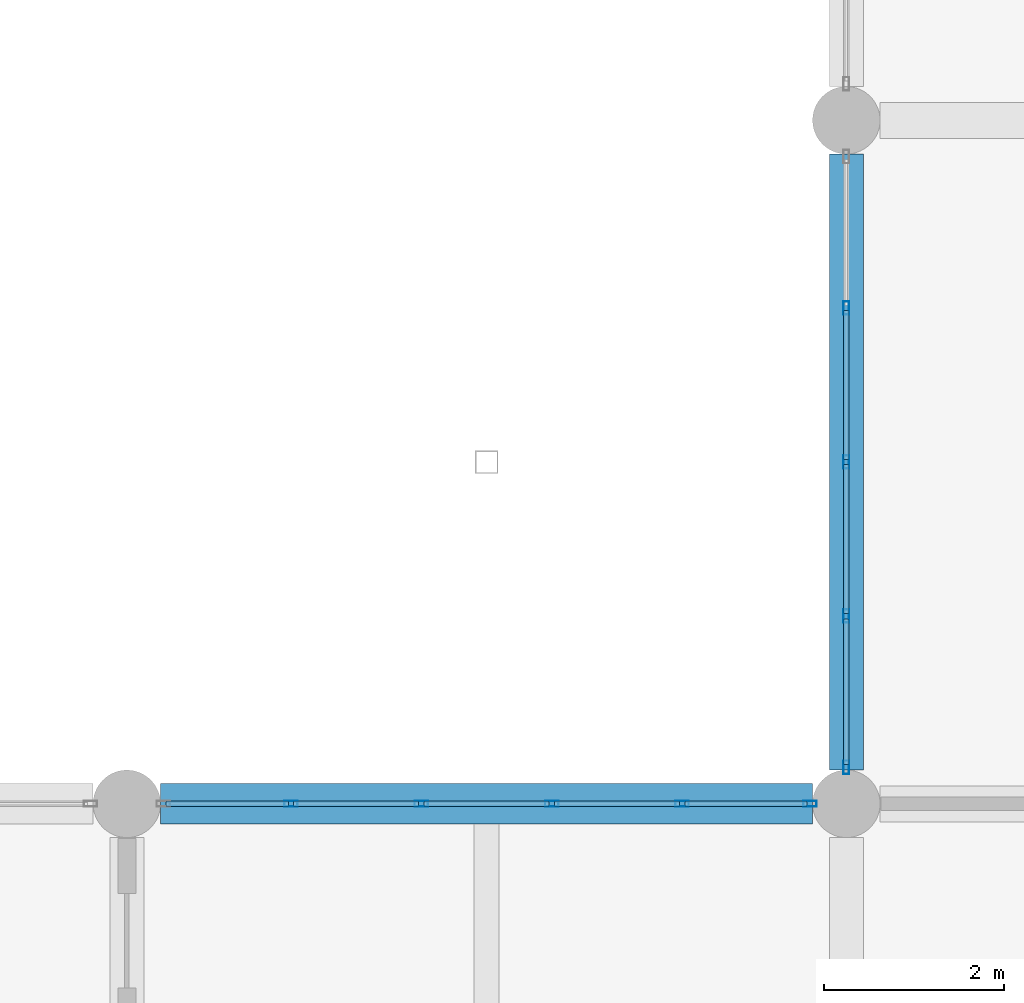
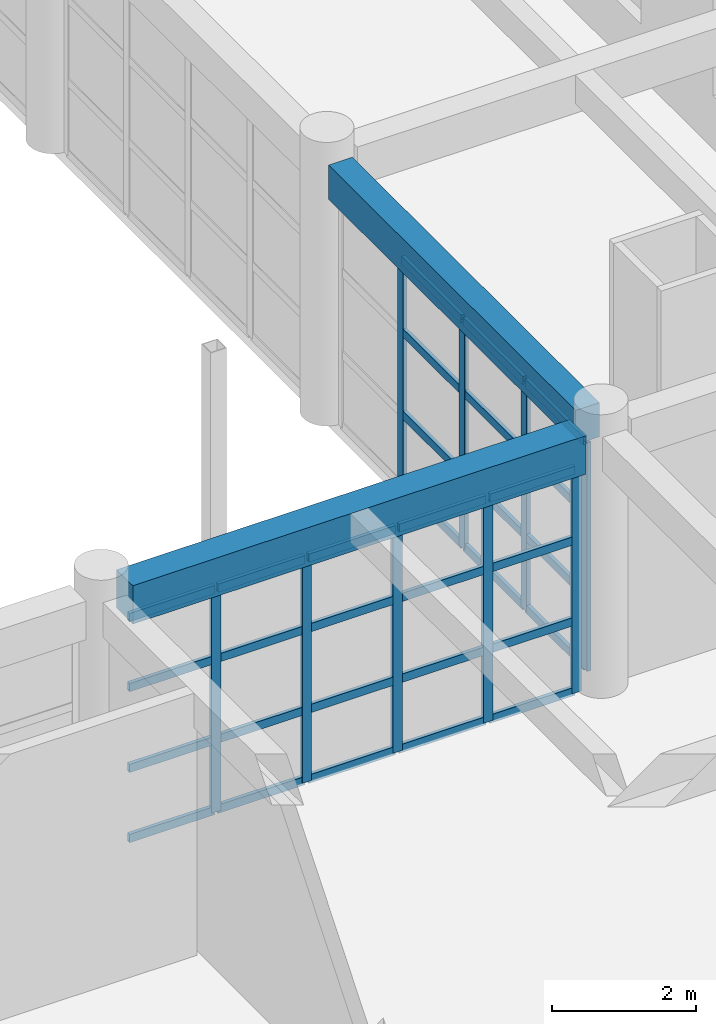
# One storey, part 51 of 101: 41 members, 2 beams, 2 elements without a shape of their own.
"""IFC4 building model written with IfcOpenShell, lengths in metres."""

from ifc_helpers import new_model, si_unit, direction, frame, origin, origin_2d, place, context, subcontext, project, spatial, rectangle, hollow_rectangle, extrude, material, material_profile, profile_set, type_object, element, aggregate, save


model = new_model("IFC4")

# Units and contexts
model_context = context("Model", 3, precision=1e-05, world=origin(), true_north=direction((0.0, 1.0)))
body_context = subcontext(model_context, "Body", "Model", "MODEL_VIEW")
ifc_project = project(units=[si_unit("LENGTHUNIT", "METRE"), si_unit("AREAUNIT", "SQUARE_METRE"), si_unit("VOLUMEUNIT", "CUBIC_METRE"), si_unit("PLANEANGLEUNIT", "RADIAN"), si_unit("MASSUNIT", "GRAM", prefix="KILO")], contexts=[model_context])

# Site, building, storey
site_placement = place(None, origin())
site = spatial("IfcSite", under=ifc_project, at=site_placement, CompositionType="ELEMENT")
building_placement = place(site_placement, origin())
building = spatial("IfcBuilding", under=site, at=building_placement, Name="Zantavel Square City Hall", CompositionType="ELEMENT")
storey_placement = place(building_placement, frame((0.0, 0.0, 5.39990234375)))
storey = spatial("IfcBuildingStorey", under=building, at=storey_placement, Name="L02", CompositionType="ELEMENT", Elevation=5.39990234375)

# Beam
ifc_material_1 = material(Name="Concrete C35/45", Category="concrete")
ifc_material_profile_1 = material_profile(ifc_material_1, rectangle(XDim=0.3798828125, YDim=0.580078125, at=origin_2d()), Name="RC 380x580")
ifc_profile_set_1 = profile_set([ifc_material_profile_1], Name="Concrete C35/45")
beam_type_1 = type_object("IfcBeamType", Name="Annex Secondary Beam RC 380x580 C35/45", PredefinedType="BEAM", material=ifc_profile_set_1)
beam_1_placement = place(storey_placement, frame((152.0, 38.375, 4.16015625), z_axis=(0.0, 1.0, 0.0), x_axis=(-1.0, 0.0, 0.0)))
element("IfcBeam", 1, at=beam_1_placement, inside=storey, type_object=beam_type_1, Name="L02 Beam BMY-L02-1520-0380", PredefinedType="BEAM", context=body_context, shape_type="SweptSolid", body=[
    extrude(rectangle(XDim=0.3798828125, YDim=0.580078125, at=origin_2d()), origin(), (0.0, 0.0, 1.0), 6.85009765625),
])

# Curtain wall, members
ifc_material_2 = material(Name="Anodised aluminium 6063-T6", Category="aluminium")
curtain_wall_type_1 = type_object("IfcCurtainWallType", Name="Curtain Wall CRT 7250x3800", PredefinedType="USERDEFINED", material=ifc_material_2)
curtain_wall_1_placement = place(storey_placement, origin())
curtain_wall_1 = element("IfcCurtainWall", 2, at=curtain_wall_1_placement, inside=storey, type_object=curtain_wall_type_1, Name="L02 Glazed Curtain Wall CW-L02-054", ObjectType="GLAZED CURTAIN WALL", PredefinedType="USERDEFINED")
ifc_material_profile_2 = material_profile(ifc_material_2, hollow_rectangle(XDim=0.06494140625, YDim=0.14990234375, WallThickness=0.00390625, at=origin_2d()), Name="ALU 65x150x4")
ifc_profile_set_2 = profile_set([ifc_material_profile_2], Name="Anodised aluminium 6063-T6")
member_type_1 = type_object("IfcMemberType", Name="CW Mullion ALU 65x150x4", PredefinedType="MULLION", material=ifc_profile_set_2)
member_1_placement = place(storey_placement, frame((145.824951171875, 38.0, 0.0), z_axis=(0.0, 0.0, 1.0), x_axis=(0.0, 1.0, 0.0)))
member_1 = element("IfcMember", 3, at=member_1_placement, type_object=member_type_1, Name="CW-054 mullion 2", PredefinedType="MULLION", context=body_context, shape_type="SweptSolid", body=[
    extrude(hollow_rectangle(XDim=0.06494140625, YDim=0.14990234375, WallThickness=0.00390625, at=origin_2d()), origin(), (0.0, 0.0, 1.0), 3.800048828125),
])
member_2_placement = place(storey_placement, frame((147.27490234375, 38.0, 0.0), z_axis=(0.0, 0.0, 1.0), x_axis=(0.0, 1.0, 0.0)))
member_2 = element("IfcMember", 4, at=member_2_placement, type_object=member_type_1, Name="CW-054 mullion 3", PredefinedType="MULLION", context=body_context, shape_type="SweptSolid", body=[
    extrude(hollow_rectangle(XDim=0.06494140625, YDim=0.14990234375, WallThickness=0.00390625, at=origin_2d()), origin(), (0.0, 0.0, 1.0), 3.800048828125),
])
member_3_placement = place(storey_placement, frame((148.72509765625, 38.0, 0.0), z_axis=(0.0, 0.0, 1.0), x_axis=(0.0, 1.0, 0.0)))
member_3 = element("IfcMember", 5, at=member_3_placement, type_object=member_type_1, Name="CW-054 mullion 4", PredefinedType="MULLION", context=body_context, shape_type="SweptSolid", body=[
    extrude(hollow_rectangle(XDim=0.06494140625, YDim=0.14990234375, WallThickness=0.00390625, at=origin_2d()), origin(), (0.0, 0.0, 1.0), 3.800048828125),
])
member_4_placement = place(storey_placement, frame((150.175048828125, 38.0, 0.0), z_axis=(0.0, 0.0, 1.0), x_axis=(0.0, 1.0, 0.0)))
member_4 = element("IfcMember", 6, at=member_4_placement, type_object=member_type_1, Name="CW-054 mullion 5", PredefinedType="MULLION", context=body_context, shape_type="SweptSolid", body=[
    extrude(hollow_rectangle(XDim=0.06494140625, YDim=0.14990234375, WallThickness=0.00390625, at=origin_2d()), origin(), (0.0, 0.0, 1.0), 3.800048828125),
])
member_5_placement = place(storey_placement, frame((151.594970703125, 38.0, 0.0), z_axis=(0.0, 0.0, 1.0), x_axis=(0.0, 1.0, 0.0)))
member_5 = element("IfcMember", 7, at=member_5_placement, type_object=member_type_1, Name="CW-054 mullion 6", PredefinedType="MULLION", context=body_context, shape_type="SweptSolid", body=[
    extrude(hollow_rectangle(XDim=0.06494140625, YDim=0.14990234375, WallThickness=0.00390625, at=origin_2d()), origin(), (0.0, 0.0, 1.0), 3.800048828125),
])

curtain_wall_type_2 = type_object("IfcCurtainWallType", Name="Curtain Wall CRT 6850x3870", PredefinedType="USERDEFINED", material=ifc_material_2)
curtain_wall_2_placement = place(storey_placement, origin())
curtain_wall_2 = element("IfcCurtainWall", 8, at=curtain_wall_2_placement, inside=storey, type_object=curtain_wall_type_2, Name="L02 Glazed Curtain Wall CW-L02-055", ObjectType="GLAZED CURTAIN WALL", PredefinedType="USERDEFINED")
member_6_placement = place(storey_placement, frame((152.0, 38.405029296875, 0.0), z_axis=(0.0, 0.0, 1.0), x_axis=(-1.0, 0.0, 0.0)))
member_6 = element("IfcMember", 9, at=member_6_placement, type_object=member_type_1, Name="CW-055 mullion 1", PredefinedType="MULLION", context=body_context, shape_type="SweptSolid", body=[
    extrude(hollow_rectangle(XDim=0.06494140625, YDim=0.14990234375, WallThickness=0.00390625, at=origin_2d()), origin(), (0.0, 0.0, 1.0), 3.8701171875),
])
member_7_placement = place(storey_placement, frame((152.0, 40.08740234375, 0.0), z_axis=(0.0, 0.0, 1.0), x_axis=(-1.0, 0.0, 0.0)))
member_7 = element("IfcMember", 10, at=member_7_placement, type_object=member_type_1, Name="CW-055 mullion 2", PredefinedType="MULLION", context=body_context, shape_type="SweptSolid", body=[
    extrude(hollow_rectangle(XDim=0.06494140625, YDim=0.14990234375, WallThickness=0.00390625, at=origin_2d()), origin(), (0.0, 0.0, 1.0), 3.8701171875),
])
member_8_placement = place(storey_placement, frame((152.0, 41.800048828125, 0.0), z_axis=(0.0, 0.0, 1.0), x_axis=(-1.0, 0.0, 0.0)))
member_8 = element("IfcMember", 11, at=member_8_placement, type_object=member_type_1, Name="CW-055 mullion 3", PredefinedType="MULLION", context=body_context, shape_type="SweptSolid", body=[
    extrude(hollow_rectangle(XDim=0.06494140625, YDim=0.14990234375, WallThickness=0.00390625, at=origin_2d()), origin(), (0.0, 0.0, 1.0), 3.8701171875),
])
member_9_placement = place(storey_placement, frame((152.0, 43.512451171875, 0.0), z_axis=(0.0, 0.0, 1.0), x_axis=(-1.0, 0.0, 0.0)))
member_9 = element("IfcMember", 12, at=member_9_placement, type_object=member_type_1, Name="CW-055 mullion 4", PredefinedType="MULLION", context=body_context, shape_type="SweptSolid", body=[
    extrude(hollow_rectangle(XDim=0.06494140625, YDim=0.14990234375, WallThickness=0.00390625, at=origin_2d()), origin(), (0.0, 0.0, 1.0), 3.8701171875),
])

# Member
ifc_material_profile_3 = material_profile(ifc_material_2, hollow_rectangle(XDim=0.06005859375, YDim=0.139892578125, WallThickness=0.00390625, at=origin_2d()), Name="ALU 60x140x4")
ifc_profile_set_3 = profile_set([ifc_material_profile_3], Name="Anodised aluminium 6063-T6")
member_type_2 = type_object("IfcMemberType", Name="CW Transom ALU 60x140x4", PredefinedType="USERDEFINED", material=ifc_profile_set_3)
member_10_placement = place(storey_placement, frame((144.43505859375, 38.0, 0.030029296875), z_axis=(1.0, 0.0, 0.0), x_axis=(0.0, 1.0, 0.0)))
member_10 = element("IfcMember", 13, at=member_10_placement, type_object=member_type_2, Name="CW-054 transom 1.1", ObjectType="TRANSOM", PredefinedType="USERDEFINED", context=body_context, shape_type="SweptSolid", body=[
    extrude(hollow_rectangle(XDim=0.06005859375, YDim=0.139892578125, WallThickness=0.00390625, at=origin_2d()), origin(), (0.0, 0.0, 1.0), 1.35986328125),
])

member_11_placement = place(storey_placement, frame((144.43505859375, 38.0, 1.216064453125), z_axis=(1.0, 0.0, 0.0), x_axis=(0.0, 1.0, 0.0)))
member_11 = element("IfcMember", 14, at=member_11_placement, type_object=member_type_2, Name="CW-054 transom 1.2", ObjectType="TRANSOM", PredefinedType="USERDEFINED", context=body_context, shape_type="SweptSolid", body=[
    extrude(hollow_rectangle(XDim=0.06005859375, YDim=0.139892578125, WallThickness=0.00390625, at=origin_2d()), origin(), (0.0, 0.0, 1.0), 1.35986328125),
])

member_12_placement = place(storey_placement, frame((144.43505859375, 38.0, 2.583984375), z_axis=(1.0, 0.0, 0.0), x_axis=(0.0, 1.0, 0.0)))
member_12 = element("IfcMember", 15, at=member_12_placement, type_object=member_type_2, Name="CW-054 transom 1.3", ObjectType="TRANSOM", PredefinedType="USERDEFINED", context=body_context, shape_type="SweptSolid", body=[
    extrude(hollow_rectangle(XDim=0.06005859375, YDim=0.139892578125, WallThickness=0.00390625, at=origin_2d()), origin(), (0.0, 0.0, 1.0), 1.35986328125),
])

member_13_placement = place(storey_placement, frame((144.43505859375, 38.0, 3.77001953125), z_axis=(1.0, 0.0, 0.0), x_axis=(0.0, 1.0, 0.0)))
member_13 = element("IfcMember", 16, at=member_13_placement, type_object=member_type_2, Name="CW-054 transom 1.4", ObjectType="TRANSOM", PredefinedType="USERDEFINED", context=body_context, shape_type="SweptSolid", body=[
    extrude(hollow_rectangle(XDim=0.06005859375, YDim=0.139892578125, WallThickness=0.00390625, at=origin_2d()), origin(), (0.0, 0.0, 1.0), 1.35986328125),
])

member_14_placement = place(storey_placement, frame((145.85498046875, 38.0, 0.030029296875), z_axis=(1.0, 0.0, 0.0), x_axis=(0.0, 1.0, 0.0)))
member_14 = element("IfcMember", 17, at=member_14_placement, type_object=member_type_2, Name="CW-054 transom 2.1", ObjectType="TRANSOM", PredefinedType="USERDEFINED", context=body_context, shape_type="SweptSolid", body=[
    extrude(hollow_rectangle(XDim=0.06005859375, YDim=0.139892578125, WallThickness=0.00390625, at=origin_2d()), origin(), (0.0, 0.0, 1.0), 1.39013671875),
])

member_15_placement = place(storey_placement, frame((145.85498046875, 38.0, 1.216064453125), z_axis=(1.0, 0.0, 0.0), x_axis=(0.0, 1.0, 0.0)))
member_15 = element("IfcMember", 18, at=member_15_placement, type_object=member_type_2, Name="CW-054 transom 2.2", ObjectType="TRANSOM", PredefinedType="USERDEFINED", context=body_context, shape_type="SweptSolid", body=[
    extrude(hollow_rectangle(XDim=0.06005859375, YDim=0.139892578125, WallThickness=0.00390625, at=origin_2d()), origin(), (0.0, 0.0, 1.0), 1.39013671875),
])

member_16_placement = place(storey_placement, frame((145.85498046875, 38.0, 2.583984375), z_axis=(1.0, 0.0, 0.0), x_axis=(0.0, 1.0, 0.0)))
member_16 = element("IfcMember", 19, at=member_16_placement, type_object=member_type_2, Name="CW-054 transom 2.3", ObjectType="TRANSOM", PredefinedType="USERDEFINED", context=body_context, shape_type="SweptSolid", body=[
    extrude(hollow_rectangle(XDim=0.06005859375, YDim=0.139892578125, WallThickness=0.00390625, at=origin_2d()), origin(), (0.0, 0.0, 1.0), 1.39013671875),
])

member_17_placement = place(storey_placement, frame((145.85498046875, 38.0, 3.77001953125), z_axis=(1.0, 0.0, 0.0), x_axis=(0.0, 1.0, 0.0)))
member_17 = element("IfcMember", 20, at=member_17_placement, type_object=member_type_2, Name="CW-054 transom 2.4", ObjectType="TRANSOM", PredefinedType="USERDEFINED", context=body_context, shape_type="SweptSolid", body=[
    extrude(hollow_rectangle(XDim=0.06005859375, YDim=0.139892578125, WallThickness=0.00390625, at=origin_2d()), origin(), (0.0, 0.0, 1.0), 1.39013671875),
])

member_18_placement = place(storey_placement, frame((147.304931640625, 38.0, 0.030029296875), z_axis=(1.0, 0.0, 0.0), x_axis=(0.0, 1.0, 0.0)))
member_18 = element("IfcMember", 21, at=member_18_placement, type_object=member_type_2, Name="CW-054 transom 3.1", ObjectType="TRANSOM", PredefinedType="USERDEFINED", context=body_context, shape_type="SweptSolid", body=[
    extrude(hollow_rectangle(XDim=0.06005859375, YDim=0.139892578125, WallThickness=0.00390625, at=origin_2d()), origin(), (0.0, 0.0, 1.0), 1.39013671875),
])

member_19_placement = place(storey_placement, frame((147.304931640625, 38.0, 1.216064453125), z_axis=(1.0, 0.0, 0.0), x_axis=(0.0, 1.0, 0.0)))
member_19 = element("IfcMember", 22, at=member_19_placement, type_object=member_type_2, Name="CW-054 transom 3.2", ObjectType="TRANSOM", PredefinedType="USERDEFINED", context=body_context, shape_type="SweptSolid", body=[
    extrude(hollow_rectangle(XDim=0.06005859375, YDim=0.139892578125, WallThickness=0.00390625, at=origin_2d()), origin(), (0.0, 0.0, 1.0), 1.39013671875),
])

member_20_placement = place(storey_placement, frame((147.304931640625, 38.0, 2.583984375), z_axis=(1.0, 0.0, 0.0), x_axis=(0.0, 1.0, 0.0)))
member_20 = element("IfcMember", 23, at=member_20_placement, type_object=member_type_2, Name="CW-054 transom 3.3", ObjectType="TRANSOM", PredefinedType="USERDEFINED", context=body_context, shape_type="SweptSolid", body=[
    extrude(hollow_rectangle(XDim=0.06005859375, YDim=0.139892578125, WallThickness=0.00390625, at=origin_2d()), origin(), (0.0, 0.0, 1.0), 1.39013671875),
])

member_21_placement = place(storey_placement, frame((147.304931640625, 38.0, 3.77001953125), z_axis=(1.0, 0.0, 0.0), x_axis=(0.0, 1.0, 0.0)))
member_21 = element("IfcMember", 24, at=member_21_placement, type_object=member_type_2, Name="CW-054 transom 3.4", ObjectType="TRANSOM", PredefinedType="USERDEFINED", context=body_context, shape_type="SweptSolid", body=[
    extrude(hollow_rectangle(XDim=0.06005859375, YDim=0.139892578125, WallThickness=0.00390625, at=origin_2d()), origin(), (0.0, 0.0, 1.0), 1.39013671875),
])

member_22_placement = place(storey_placement, frame((148.7548828125, 38.0, 0.030029296875), z_axis=(1.0, 0.0, 0.0), x_axis=(0.0, 1.0, 0.0)))
member_22 = element("IfcMember", 25, at=member_22_placement, type_object=member_type_2, Name="CW-054 transom 4.1", ObjectType="TRANSOM", PredefinedType="USERDEFINED", context=body_context, shape_type="SweptSolid", body=[
    extrude(hollow_rectangle(XDim=0.06005859375, YDim=0.139892578125, WallThickness=0.00390625, at=origin_2d()), origin(), (0.0, 0.0, 1.0), 1.39013671875),
])

member_23_placement = place(storey_placement, frame((148.7548828125, 38.0, 1.216064453125), z_axis=(1.0, 0.0, 0.0), x_axis=(0.0, 1.0, 0.0)))
member_23 = element("IfcMember", 26, at=member_23_placement, type_object=member_type_2, Name="CW-054 transom 4.2", ObjectType="TRANSOM", PredefinedType="USERDEFINED", context=body_context, shape_type="SweptSolid", body=[
    extrude(hollow_rectangle(XDim=0.06005859375, YDim=0.139892578125, WallThickness=0.00390625, at=origin_2d()), origin(), (0.0, 0.0, 1.0), 1.39013671875),
])

member_24_placement = place(storey_placement, frame((148.7548828125, 38.0, 2.583984375), z_axis=(1.0, 0.0, 0.0), x_axis=(0.0, 1.0, 0.0)))
member_24 = element("IfcMember", 27, at=member_24_placement, type_object=member_type_2, Name="CW-054 transom 4.3", ObjectType="TRANSOM", PredefinedType="USERDEFINED", context=body_context, shape_type="SweptSolid", body=[
    extrude(hollow_rectangle(XDim=0.06005859375, YDim=0.139892578125, WallThickness=0.00390625, at=origin_2d()), origin(), (0.0, 0.0, 1.0), 1.39013671875),
])

member_25_placement = place(storey_placement, frame((148.7548828125, 38.0, 3.77001953125), z_axis=(1.0, 0.0, 0.0), x_axis=(0.0, 1.0, 0.0)))
member_25 = element("IfcMember", 28, at=member_25_placement, type_object=member_type_2, Name="CW-054 transom 4.4", ObjectType="TRANSOM", PredefinedType="USERDEFINED", context=body_context, shape_type="SweptSolid", body=[
    extrude(hollow_rectangle(XDim=0.06005859375, YDim=0.139892578125, WallThickness=0.00390625, at=origin_2d()), origin(), (0.0, 0.0, 1.0), 1.39013671875),
])

member_26_placement = place(storey_placement, frame((150.205078125, 38.0, 0.030029296875), z_axis=(1.0, 0.0, 0.0), x_axis=(0.0, 1.0, 0.0)))
member_26 = element("IfcMember", 29, at=member_26_placement, type_object=member_type_2, Name="CW-054 transom 5.1", ObjectType="TRANSOM", PredefinedType="USERDEFINED", context=body_context, shape_type="SweptSolid", body=[
    extrude(hollow_rectangle(XDim=0.06005859375, YDim=0.139892578125, WallThickness=0.00390625, at=origin_2d()), origin(), (0.0, 0.0, 1.0), 1.35986328125),
])

member_27_placement = place(storey_placement, frame((150.205078125, 38.0, 1.216064453125), z_axis=(1.0, 0.0, 0.0), x_axis=(0.0, 1.0, 0.0)))
member_27 = element("IfcMember", 30, at=member_27_placement, type_object=member_type_2, Name="CW-054 transom 5.2", ObjectType="TRANSOM", PredefinedType="USERDEFINED", context=body_context, shape_type="SweptSolid", body=[
    extrude(hollow_rectangle(XDim=0.06005859375, YDim=0.139892578125, WallThickness=0.00390625, at=origin_2d()), origin(), (0.0, 0.0, 1.0), 1.35986328125),
])

member_28_placement = place(storey_placement, frame((150.205078125, 38.0, 2.583984375), z_axis=(1.0, 0.0, 0.0), x_axis=(0.0, 1.0, 0.0)))
member_28 = element("IfcMember", 31, at=member_28_placement, type_object=member_type_2, Name="CW-054 transom 5.3", ObjectType="TRANSOM", PredefinedType="USERDEFINED", context=body_context, shape_type="SweptSolid", body=[
    extrude(hollow_rectangle(XDim=0.06005859375, YDim=0.139892578125, WallThickness=0.00390625, at=origin_2d()), origin(), (0.0, 0.0, 1.0), 1.35986328125),
])

member_29_placement = place(storey_placement, frame((150.205078125, 38.0, 3.77001953125), z_axis=(1.0, 0.0, 0.0), x_axis=(0.0, 1.0, 0.0)))
member_29 = element("IfcMember", 32, at=member_29_placement, type_object=member_type_2, Name="CW-054 transom 5.4", ObjectType="TRANSOM", PredefinedType="USERDEFINED", context=body_context, shape_type="SweptSolid", body=[
    extrude(hollow_rectangle(XDim=0.06005859375, YDim=0.139892578125, WallThickness=0.00390625, at=origin_2d()), origin(), (0.0, 0.0, 1.0), 1.35986328125),
])

aggregate(curtain_wall_1, [member_1, member_2, member_3, member_4, member_5, member_10, member_11, member_12, member_13, member_14, member_15, member_16, member_17, member_18, member_19, member_20, member_21, member_22, member_23, member_24, member_25, member_26, member_27, member_28, member_29])

member_30_placement = place(storey_placement, frame((152.0, 38.43505859375, 0.030029296875), z_axis=(0.0, 1.0, 0.0), x_axis=(-1.0, 0.0, 0.0)))
member_30 = element("IfcMember", 33, at=member_30_placement, type_object=member_type_2, Name="CW-055 transom 1.1", ObjectType="TRANSOM", PredefinedType="USERDEFINED", context=body_context, shape_type="SweptSolid", body=[
    extrude(hollow_rectangle(XDim=0.06005859375, YDim=0.139892578125, WallThickness=0.00390625, at=origin_2d()), origin(), (0.0, 0.0, 1.0), 1.62255859375),
])

member_31_placement = place(storey_placement, frame((152.0, 38.43505859375, 1.238037109375), z_axis=(0.0, 1.0, 0.0), x_axis=(-1.0, 0.0, 0.0)))
member_31 = element("IfcMember", 34, at=member_31_placement, type_object=member_type_2, Name="CW-055 transom 1.2", ObjectType="TRANSOM", PredefinedType="USERDEFINED", context=body_context, shape_type="SweptSolid", body=[
    extrude(hollow_rectangle(XDim=0.06005859375, YDim=0.139892578125, WallThickness=0.00390625, at=origin_2d()), origin(), (0.0, 0.0, 1.0), 1.62255859375),
])

member_32_placement = place(storey_placement, frame((152.0, 38.43505859375, 2.632080078125), z_axis=(0.0, 1.0, 0.0), x_axis=(-1.0, 0.0, 0.0)))
member_32 = element("IfcMember", 35, at=member_32_placement, type_object=member_type_2, Name="CW-055 transom 1.3", ObjectType="TRANSOM", PredefinedType="USERDEFINED", context=body_context, shape_type="SweptSolid", body=[
    extrude(hollow_rectangle(XDim=0.06005859375, YDim=0.139892578125, WallThickness=0.00390625, at=origin_2d()), origin(), (0.0, 0.0, 1.0), 1.62255859375),
])

member_33_placement = place(storey_placement, frame((152.0, 38.43505859375, 3.840087890625), z_axis=(0.0, 1.0, 0.0), x_axis=(-1.0, 0.0, 0.0)))
member_33 = element("IfcMember", 36, at=member_33_placement, type_object=member_type_2, Name="CW-055 transom 1.4", ObjectType="TRANSOM", PredefinedType="USERDEFINED", context=body_context, shape_type="SweptSolid", body=[
    extrude(hollow_rectangle(XDim=0.06005859375, YDim=0.139892578125, WallThickness=0.00390625, at=origin_2d()), origin(), (0.0, 0.0, 1.0), 1.62255859375),
])

member_34_placement = place(storey_placement, frame((152.0, 40.117431640625, 0.030029296875), z_axis=(0.0, 1.0, 0.0), x_axis=(-1.0, 0.0, 0.0)))
member_34 = element("IfcMember", 37, at=member_34_placement, type_object=member_type_2, Name="CW-055 transom 2.1", ObjectType="TRANSOM", PredefinedType="USERDEFINED", context=body_context, shape_type="SweptSolid", body=[
    extrude(hollow_rectangle(XDim=0.06005859375, YDim=0.139892578125, WallThickness=0.00390625, at=origin_2d()), origin(), (0.0, 0.0, 1.0), 1.652587890625),
])

member_35_placement = place(storey_placement, frame((152.0, 40.117431640625, 1.238037109375), z_axis=(0.0, 1.0, 0.0), x_axis=(-1.0, 0.0, 0.0)))
member_35 = element("IfcMember", 38, at=member_35_placement, type_object=member_type_2, Name="CW-055 transom 2.2", ObjectType="TRANSOM", PredefinedType="USERDEFINED", context=body_context, shape_type="SweptSolid", body=[
    extrude(hollow_rectangle(XDim=0.06005859375, YDim=0.139892578125, WallThickness=0.00390625, at=origin_2d()), origin(), (0.0, 0.0, 1.0), 1.652587890625),
])

member_36_placement = place(storey_placement, frame((152.0, 40.117431640625, 2.632080078125), z_axis=(0.0, 1.0, 0.0), x_axis=(-1.0, 0.0, 0.0)))
member_36 = element("IfcMember", 39, at=member_36_placement, type_object=member_type_2, Name="CW-055 transom 2.3", ObjectType="TRANSOM", PredefinedType="USERDEFINED", context=body_context, shape_type="SweptSolid", body=[
    extrude(hollow_rectangle(XDim=0.06005859375, YDim=0.139892578125, WallThickness=0.00390625, at=origin_2d()), origin(), (0.0, 0.0, 1.0), 1.652587890625),
])

member_37_placement = place(storey_placement, frame((152.0, 40.117431640625, 3.840087890625), z_axis=(0.0, 1.0, 0.0), x_axis=(-1.0, 0.0, 0.0)))
member_37 = element("IfcMember", 40, at=member_37_placement, type_object=member_type_2, Name="CW-055 transom 2.4", ObjectType="TRANSOM", PredefinedType="USERDEFINED", context=body_context, shape_type="SweptSolid", body=[
    extrude(hollow_rectangle(XDim=0.06005859375, YDim=0.139892578125, WallThickness=0.00390625, at=origin_2d()), origin(), (0.0, 0.0, 1.0), 1.652587890625),
])

member_38_placement = place(storey_placement, frame((152.0, 41.830078125, 0.030029296875), z_axis=(0.0, 1.0, 0.0), x_axis=(-1.0, 0.0, 0.0)))
member_38 = element("IfcMember", 41, at=member_38_placement, type_object=member_type_2, Name="CW-055 transom 3.1", ObjectType="TRANSOM", PredefinedType="USERDEFINED", context=body_context, shape_type="SweptSolid", body=[
    extrude(hollow_rectangle(XDim=0.06005859375, YDim=0.139892578125, WallThickness=0.00390625, at=origin_2d()), origin(), (0.0, 0.0, 1.0), 1.65234375),
])

member_39_placement = place(storey_placement, frame((152.0, 41.830078125, 1.238037109375), z_axis=(0.0, 1.0, 0.0), x_axis=(-1.0, 0.0, 0.0)))
member_39 = element("IfcMember", 42, at=member_39_placement, type_object=member_type_2, Name="CW-055 transom 3.2", ObjectType="TRANSOM", PredefinedType="USERDEFINED", context=body_context, shape_type="SweptSolid", body=[
    extrude(hollow_rectangle(XDim=0.06005859375, YDim=0.139892578125, WallThickness=0.00390625, at=origin_2d()), origin(), (0.0, 0.0, 1.0), 1.65234375),
])

member_40_placement = place(storey_placement, frame((152.0, 41.830078125, 2.632080078125), z_axis=(0.0, 1.0, 0.0), x_axis=(-1.0, 0.0, 0.0)))
member_40 = element("IfcMember", 43, at=member_40_placement, type_object=member_type_2, Name="CW-055 transom 3.3", ObjectType="TRANSOM", PredefinedType="USERDEFINED", context=body_context, shape_type="SweptSolid", body=[
    extrude(hollow_rectangle(XDim=0.06005859375, YDim=0.139892578125, WallThickness=0.00390625, at=origin_2d()), origin(), (0.0, 0.0, 1.0), 1.65234375),
])

member_41_placement = place(storey_placement, frame((152.0, 41.830078125, 3.840087890625), z_axis=(0.0, 1.0, 0.0), x_axis=(-1.0, 0.0, 0.0)))
member_41 = element("IfcMember", 44, at=member_41_placement, type_object=member_type_2, Name="CW-055 transom 3.4", ObjectType="TRANSOM", PredefinedType="USERDEFINED", context=body_context, shape_type="SweptSolid", body=[
    extrude(hollow_rectangle(XDim=0.06005859375, YDim=0.139892578125, WallThickness=0.00390625, at=origin_2d()), origin(), (0.0, 0.0, 1.0), 1.65234375),
])

aggregate(curtain_wall_2, [member_6, member_7, member_8, member_9, member_30, member_31, member_32, member_33, member_34, member_35, member_36, member_37, member_38, member_39, member_40, member_41])

# Beam
ifc_material_profile_4 = material_profile(ifc_material_1, rectangle(XDim=0.449951171875, YDim=0.64990234375, at=origin_2d()), Name="RC 450x650")
ifc_profile_set_4 = profile_set([ifc_material_profile_4], Name="Concrete C35/45")
beam_type_2 = type_object("IfcBeamType", Name="Courtyard Cloister Girder RC 450x650 C35/45", PredefinedType="BEAM", material=ifc_profile_set_4)
beam_2_placement = place(storey_placement, frame((144.375, 38.0, 4.125), z_axis=(1.0, 0.0, 0.0), x_axis=(0.0, 1.0, 0.0)))
element("IfcBeam", 45, at=beam_2_placement, inside=storey, type_object=beam_type_2, Name="L02 Girder BMX-L02-1440-0380", PredefinedType="BEAM", context=body_context, shape_type="SweptSolid", body=[
    extrude(rectangle(XDim=0.449951171875, YDim=0.64990234375, at=origin_2d()), origin(), (0.0, 0.0, 1.0), 7.25),
])

save(model, "model.ifc")
